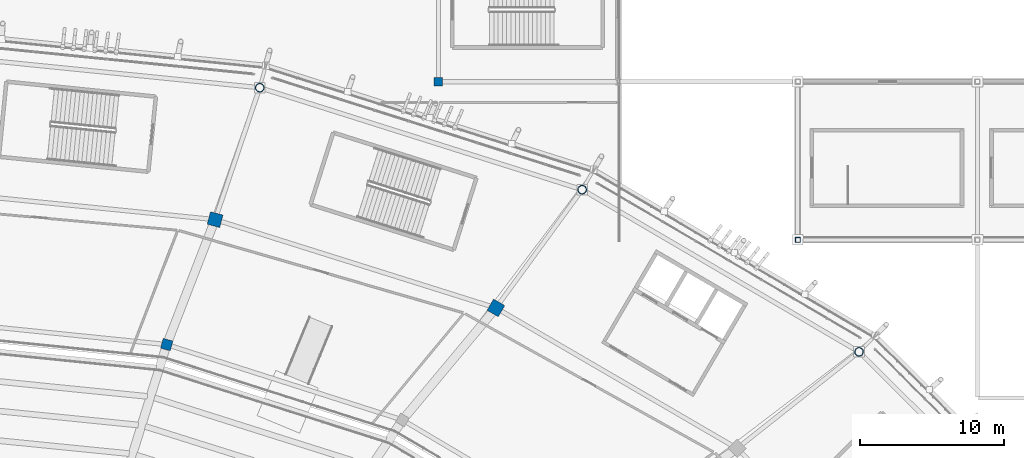
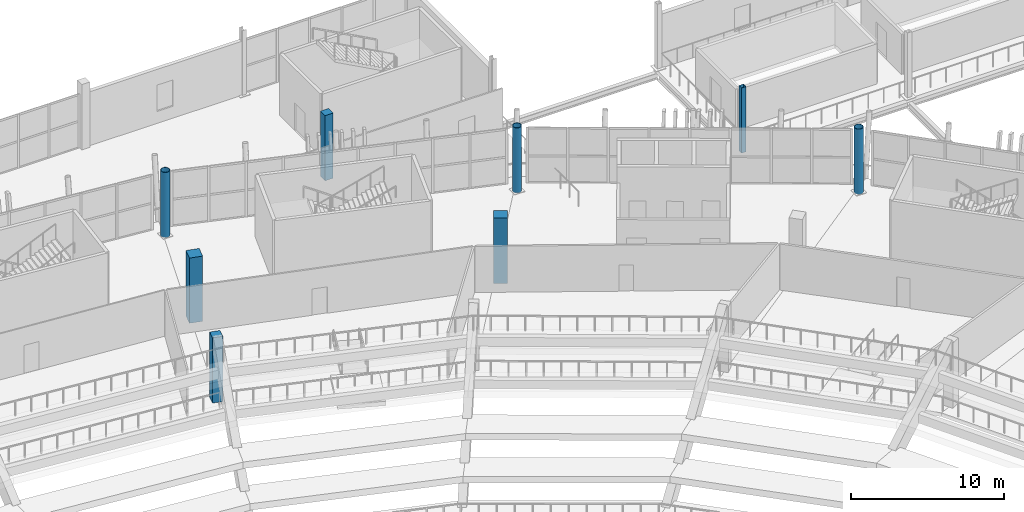
# One storey, part 20 of 178: 8 columns.
"""IFC4 building model written with IfcOpenShell, lengths in metres."""

from ifc_helpers import new_model, si_unit, direction, frame, origin, origin_2d, place, context, subcontext, project, spatial, rectangle, hollow_rectangle, hollow_circle, extrude, material, material_profile, profile_set, type_object, element, save


model = new_model("IFC4")

# Units and contexts
model_context = context("Model", 3, precision=1e-05, world=origin(), true_north=direction((0.0, 1.0)))
body_context = subcontext(model_context, "Body", "Model", "MODEL_VIEW")
ifc_project = project(units=[si_unit("LENGTHUNIT", "METRE"), si_unit("AREAUNIT", "SQUARE_METRE"), si_unit("VOLUMEUNIT", "CUBIC_METRE"), si_unit("PLANEANGLEUNIT", "RADIAN"), si_unit("MASSUNIT", "GRAM", prefix="KILO")], contexts=[model_context])

# Site, building, storey
site_placement = place(None, origin())
site = spatial("IfcSite", under=ifc_project, at=site_placement, CompositionType="ELEMENT")
building_placement = place(site_placement, origin())
building = spatial("IfcBuilding", under=site, at=building_placement, Name="Zlatoyarsky Gate Stadium", CompositionType="ELEMENT")
storey_placement = place(building_placement, frame((0.0, 0.0, 5.39990234375)))
storey = spatial("IfcBuildingStorey", under=building, at=storey_placement, Name="L01", CompositionType="ELEMENT", Elevation=5.39990234375)

# Columns
ifc_material_1 = material(Name="Concrete C40/50", Category="concrete")
ifc_material_profile_1 = material_profile(ifc_material_1, rectangle(XDim=0.60009765625, YDim=0.60009765625, at=origin_2d()), Name="RC COL 600X600")
ifc_profile_set_1 = profile_set([ifc_material_profile_1], Name="Concrete C40/50")
column_type_1 = type_object("IfcColumnType", Name="CONCRETE COLUMN 600X600", PredefinedType="COLUMN", material=ifc_profile_set_1)
column_1_placement = place(storey_placement, frame((147.5, 149.0, 0.0), z_axis=(0.0, 0.0, 1.0), x_axis=(1.0, 0.0, 0.0)))
element("IfcColumn", 1, at=column_1_placement, inside=storey, type_object=column_type_1, Name="Column RC-C60 WG-13-P on L01", PredefinedType="COLUMN", context=body_context, shape_type="SweptSolid", body=[
    extrude(rectangle(XDim=0.60009765625, YDim=0.60009765625, at=origin_2d()), origin(), (0.0, 0.0, 1.0), 5.2001953125),
])
ifc_material_profile_2 = material_profile(ifc_material_1, rectangle(XDim=0.699951171875, YDim=0.699951171875, at=origin_2d()), Name="RC COL 700X700")
ifc_profile_set_2 = profile_set([ifc_material_profile_2], Name="Concrete C40/50")
column_type_2 = type_object("IfcColumnType", Name="CONCRETE COLUMN 700X700", PredefinedType="COLUMN", material=ifc_profile_set_2)
column_2_placement = place(storey_placement, frame((128.599609375, 130.711181640625, 0.0), z_axis=(0.0, 0.0, 1.0), x_axis=(0.258819045103, 0.965925826289, 0.0)))
element("IfcColumn", 2, at=column_2_placement, inside=storey, type_object=column_type_2, Name="Column RC-C70 RA-05 on L01", PredefinedType="COLUMN", context=body_context, shape_type="SweptSolid", body=[
    extrude(rectangle(XDim=0.699951171875, YDim=0.699951171875, at=origin_2d()), origin(), (0.0, 0.0, 1.0), 5.2001953125),
])
ifc_material_profile_3 = material_profile(ifc_material_1, rectangle(XDim=0.89990234375, YDim=0.89990234375, at=origin_2d()), Name="RC COL 900X900")
ifc_profile_set_3 = profile_set([ifc_material_profile_3], Name="Concrete C40/50")
column_type_3 = type_object("IfcColumnType", Name="CONCRETE COLUMN 900X900", PredefinedType="COLUMN", material=ifc_profile_set_3)
for number, where, z_axis, x_axis, name in (
    (3, (151.5, 133.260498046875, 0.0), (0.0, 0.0, 1.0), (0.5, 0.866025403784, 0.0), "Column RC-C90 RB-04 on L01"),
    (4, (131.96435546875, 139.404296875, 0.0), (0.0, 0.0, 1.0), (0.258819045103, 0.965925826289, 0.0), "Column RC-C90 RB-05 on L01"),
):
    element("IfcColumn", number, at=place(storey_placement, frame(where, z_axis=z_axis, x_axis=x_axis)), inside=storey, type_object=column_type_3, Name=name, PredefinedType="COLUMN", context=body_context, shape_type="SweptSolid", body=[
        extrude(rectangle(XDim=0.89990234375, YDim=0.89990234375, at=origin_2d()), origin(), (0.0, 0.0, 1.0), 5.2001953125),
    ])
ifc_material_2 = material(Name="Steel S355", Category="steel")
ifc_material_profile_4 = material_profile(ifc_material_2, hollow_rectangle(XDim=0.35009765625, YDim=0.35009765625, WallThickness=0.02001953125, at=origin_2d()), Name="SHS 350X350X20")
ifc_profile_set_4 = profile_set([ifc_material_profile_4], Name="Steel S355")
column_type_4 = type_object("IfcColumnType", Name="STEEL SQUARE COLUMN SHS 350X350X20", PredefinedType="COLUMN", material=ifc_profile_set_4)
column_3_placement = place(storey_placement, frame((172.5, 138.0, 0.0), z_axis=(0.0, 0.0, 1.0), x_axis=(1.0, 0.0, 0.0)))
element("IfcColumn", 5, at=column_3_placement, inside=storey, type_object=column_type_4, Name="Column ST-CS350 WG-15-N on L01", PredefinedType="COLUMN", context=body_context, shape_type="SweptSolid", body=[
    extrude(hollow_rectangle(XDim=0.35009765625, YDim=0.35009765625, WallThickness=0.02001953125, at=origin_2d()), origin(), (0.0, 0.0, 1.0), 5.2001953125),
])
ifc_material_profile_5 = material_profile(ifc_material_2, hollow_circle(Radius=0.304931640625, WallThickness=0.030029296875, at=origin_2d()), Name="CHS 610X30")
ifc_profile_set_5 = profile_set([ifc_material_profile_5], Name="Steel S355")
column_type_5 = type_object("IfcColumnType", Name="STEEL TUBULAR COLUMN CHS 610X30", PredefinedType="COLUMN", material=ifc_profile_set_5)
for number, where, z_axis, x_axis, name in (
    (6, (176.760986328125, 130.20458984375, 0.0), (0.0, 0.0, 1.0), (0.707106781187, 0.707106781187, 0.0), "Column ST-C610 RC-03 on L01"),
    (7, (157.5, 141.48779296875, 0.0), (0.0, 0.0, 1.0), (0.5, 0.866025403784, 0.0), "Column ST-C610 RC-04 on L01"),
    (8, (135.0703125, 148.580810546875, 0.0), (0.0, 0.0, 1.0), (0.258819045103, 0.965925826289, 0.0), "Column ST-C610 RC-05 on L01"),
):
    element("IfcColumn", number, at=place(storey_placement, frame(where, z_axis=z_axis, x_axis=x_axis)), inside=storey, type_object=column_type_5, Name=name, PredefinedType="COLUMN", context=body_context, shape_type="SweptSolid", body=[
        extrude(hollow_circle(Radius=0.304931640625, WallThickness=0.030029296875, at=origin_2d()), origin(), (0.0, 0.0, 1.0), 5.2001953125),
    ])

save(model, "model.ifc")
